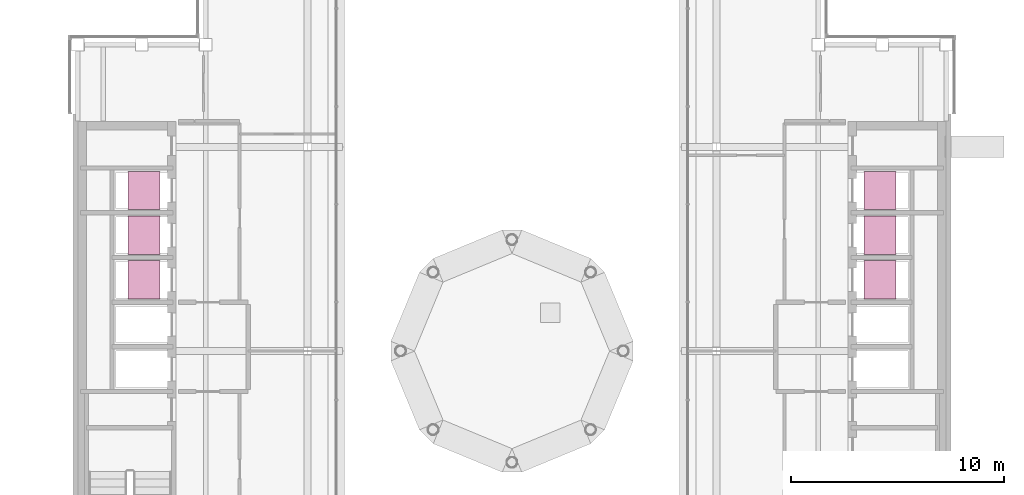
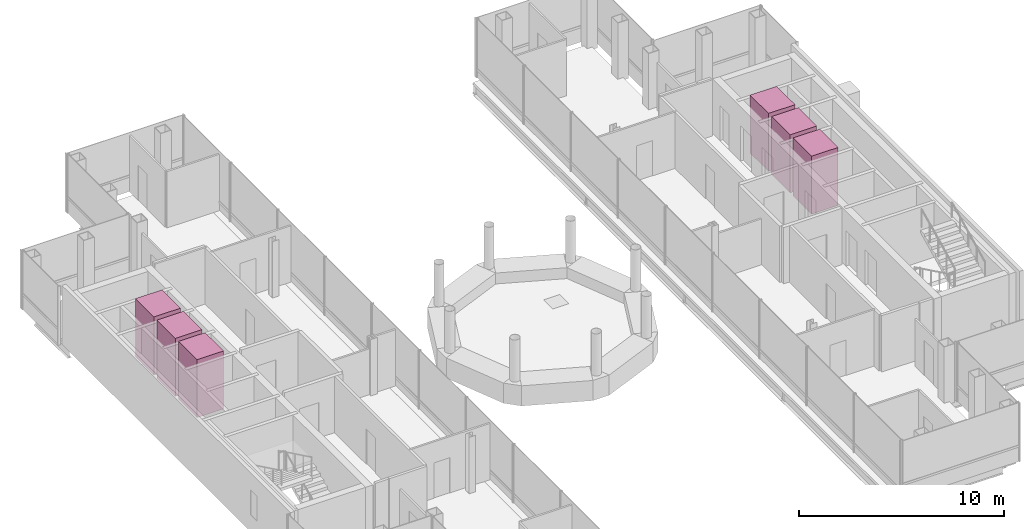
# One storey, part 16 of 16: 6 transport elements.
"""IFC4 building model written with IfcOpenShell, lengths in metres."""

from ifc_helpers import new_model, si_unit, direction, frame, origin, origin_2d, place, context, subcontext, project, spatial, rectangle, extrude, material, type_object, element, save


model = new_model("IFC4")

# Units and contexts
model_context = context("Model", 3, precision=1e-05, world=origin(), true_north=direction((0.0, 1.0)))
body_context = subcontext(model_context, "Body", "Model", "MODEL_VIEW")
ifc_project = project(units=[si_unit("LENGTHUNIT", "METRE"), si_unit("AREAUNIT", "SQUARE_METRE"), si_unit("VOLUMEUNIT", "CUBIC_METRE"), si_unit("PLANEANGLEUNIT", "RADIAN"), si_unit("MASSUNIT", "GRAM", prefix="KILO")], contexts=[model_context])

# Site, building, storey
site_placement = place(None, origin())
site = spatial("IfcSite", under=ifc_project, at=site_placement, CompositionType="ELEMENT")
building_placement = place(site_placement, origin())
building = spatial("IfcBuilding", under=site, at=building_placement, Name="Cobrizo Arcos Hotel Tower", CompositionType="ELEMENT")
storey_placement = place(building_placement, frame((0.0, 0.0, 272.5)))
storey = spatial("IfcBuildingStorey", under=building, at=storey_placement, Name="L72", CompositionType="ELEMENT", Elevation=272.5)

# Transport elements
ifc_material = material(Name="Stainless steel car", Category="steel")
transport_element_type = type_object("IfcTransportElementType", Name="Lift car High 1.8x1.5", PredefinedType="ELEVATOR", material=ifc_material)
for number, where, z_axis, x_axis, name in (
    (1, (-17.300048828125, 3.35009765625, 0.0), (0.0, 0.0, 1.0), (1.0, 0.0, 0.0), "High-rise passenger lift W1"),
    (2, (-17.300048828125, 5.449951171875, 0.0), (0.0, 0.0, 1.0), (1.0, 0.0, 0.0), "High-rise passenger lift W2"),
    (3, (-17.300048828125, 7.550048828125, 0.0), (0.0, 0.0, 1.0), (1.0, 0.0, 0.0), "High-rise passenger lift W3"),
    (4, (17.300048828125, 3.35009765625, 0.0), (0.0, 0.0, 1.0), (1.0, 0.0, 0.0), "High-rise passenger lift E1"),
    (5, (17.300048828125, 5.449951171875, 0.0), (0.0, 0.0, 1.0), (1.0, 0.0, 0.0), "High-rise passenger lift E2"),
    (6, (17.300048828125, 7.550048828125, 0.0), (0.0, 0.0, 1.0), (1.0, 0.0, 0.0), "High-rise passenger lift E3"),
):
    element("IfcTransportElement", number, at=place(storey_placement, frame(where, z_axis=z_axis, x_axis=x_axis)), inside=storey, type_object=transport_element_type, Name=name, PredefinedType="ELEVATOR", context=body_context, shape_type="SweptSolid", body=[
        extrude(rectangle(XDim=1.5, YDim=1.800048828125, at=origin_2d()), origin(), (0.0, 0.0, 1.0), 3.449951171875),
    ])

save(model, "model.ifc")
